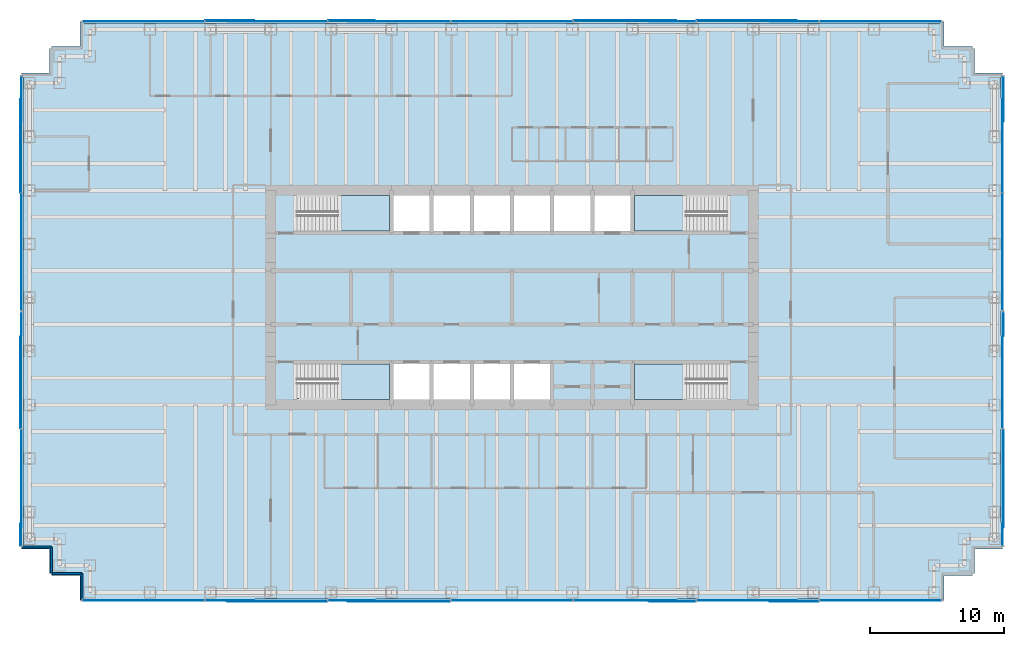
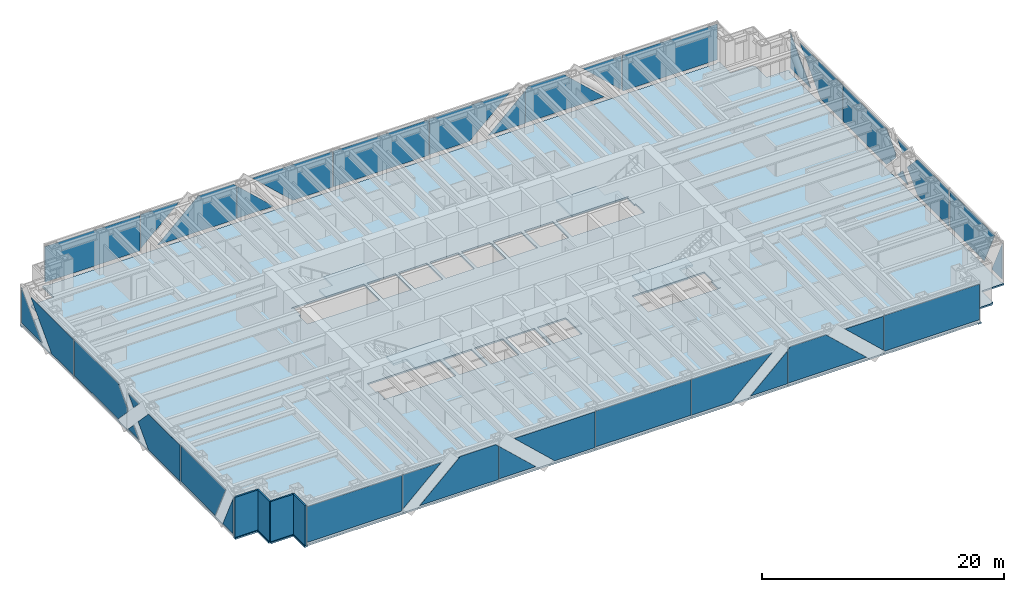
# One storey, part 9 of 14: 38 plates, 5 slabs, 4 walls, 8 elements without a shape of their own.
"""IFC4 building model written with IfcOpenShell, lengths in metres."""

from ifc_helpers import new_model, si_unit, direction, frame, frame_2d, origin, origin_2d, place, context, subcontext, project, spatial, polyline, rectangle, outline, extrude, material, layer, layer_set, type_object, element, aggregate, save


model = new_model("IFC4")

# Units and contexts
model_context = context("Model", 3, precision=1e-05, world=origin(), true_north=direction((0.0, 1.0)))
body_context = subcontext(model_context, "Body", "Model", "MODEL_VIEW")
ifc_project = project(units=[si_unit("LENGTHUNIT", "METRE"), si_unit("AREAUNIT", "SQUARE_METRE"), si_unit("VOLUMEUNIT", "CUBIC_METRE"), si_unit("PLANEANGLEUNIT", "RADIAN"), si_unit("MASSUNIT", "GRAM", prefix="KILO")], contexts=[model_context])

# Site, building, storey
site_placement = place(None, origin())
site = spatial("IfcSite", under=ifc_project, at=site_placement, CompositionType="ELEMENT")
building_placement = place(site_placement, origin())
building = spatial("IfcBuilding", under=site, at=building_placement, Name="Rheinbord Bourse Tower", CompositionType="ELEMENT")
storey_placement = place(building_placement, frame((0.0, 0.0, 253.0)))
storey = spatial("IfcBuildingStorey", under=building, at=storey_placement, Name="L57", CompositionType="ELEMENT", Elevation=253.0)

# Slab
ifc_material_1 = material(Name="Concrete C30/37", Category="concrete")
ifc_layer_1 = layer(ifc_material_1, 0.159912109375)
ifc_layer_set_1 = layer_set([ifc_layer_1], Name="COMPOSITE FLOOR SLAB 160")
slab_type_1 = type_object("IfcSlabType", Name="COMPOSITE FLOOR SLAB 160", PredefinedType="FLOOR", material=ifc_layer_set_1)
slab_1_placement = place(storey_placement, frame((0.0, 0.0, -0.159912109375)))
element("IfcSlab", 1, at=slab_1_placement, inside=storey, type_object=slab_type_1, Name="Floor slab L57", PredefinedType="FLOOR", context=body_context, shape_type="SweptSolid", body=[
    extrude(outline(polyline([(1.64990234375, 3.39990234375), (1.5, 3.39990234375), (1.5, 5.25), (-0.60009765625, 5.25), (-0.60009765625, 5.550048828125), (-0.5, 5.550048828125), (-0.5, 40.449951171875), (-0.60009765625, 40.449951171875), (-0.60009765625, 40.75), (1.5, 40.75), (1.5, 42.60009765625), (1.64990234375, 42.60009765625), (1.64990234375, 42.75), (3.75, 42.75), (3.75, 44.60009765625), (4.050048828125, 44.60009765625), (4.050048828125, 44.5), (67.949951171875, 44.5), (67.949951171875, 44.60009765625), (68.25, 44.60009765625), (68.25, 42.75), (70.35009765625, 42.75), (70.35009765625, 42.60009765625), (70.5, 42.60009765625), (70.5, 40.75), (72.60009765625, 40.75), (72.60009765625, 40.449951171875), (72.5, 40.449951171875), (72.5, 5.550048828125), (72.60009765625, 5.550048828125), (72.60009765625, 5.25), (70.5, 5.25), (70.5, 3.39990234375), (70.35009765625, 3.39990234375), (70.35009765625, 3.25), (68.25, 3.25), (68.25, 1.39990234375), (67.949951171875, 1.39990234375), (67.949951171875, 1.5), (4.050048828125, 1.5), (4.050048828125, 1.39990234375), (3.75, 1.39990234375), (3.75, 3.25), (1.64990234375, 3.25), (1.64990234375, 3.39990234375)]), holes=[polyline([(19.949951171875, 19.050048828125), (26.85009765625, 19.050048828125), (26.85009765625, 16.39990234375), (19.949951171875, 16.39990234375), (19.949951171875, 16.449951171875), (20.10009765625, 16.449951171875), (20.10009765625, 17.64990234375), (19.949951171875, 17.64990234375), (19.949951171875, 19.050048828125)]), polyline([(19.949951171875, 31.60009765625), (26.85009765625, 31.60009765625), (26.85009765625, 28.949951171875), (19.949951171875, 28.949951171875), (19.949951171875, 30.35009765625), (20.10009765625, 30.35009765625), (20.10009765625, 31.550048828125), (19.949951171875, 31.550048828125), (19.949951171875, 31.60009765625)]), polyline([(52.050048828125, 16.39990234375), (45.14990234375, 16.39990234375), (45.14990234375, 19.050048828125), (52.050048828125, 19.050048828125), (52.050048828125, 17.64990234375), (51.89990234375, 17.64990234375), (51.89990234375, 16.449951171875), (52.050048828125, 16.449951171875), (52.050048828125, 16.39990234375)]), polyline([(52.050048828125, 28.949951171875), (45.14990234375, 28.949951171875), (45.14990234375, 31.60009765625), (52.050048828125, 31.60009765625), (52.050048828125, 31.550048828125), (51.89990234375, 31.550048828125), (51.89990234375, 30.35009765625), (52.050048828125, 30.35009765625), (52.050048828125, 28.949951171875)]), polyline([(27.14990234375, 16.39990234375), (27.14990234375, 19.050048828125), (29.85009765625, 19.050048828125), (29.85009765625, 16.39990234375), (27.14990234375, 16.39990234375)]), polyline([(27.14990234375, 28.949951171875), (27.14990234375, 31.60009765625), (29.85009765625, 31.60009765625), (29.85009765625, 28.949951171875), (27.14990234375, 28.949951171875)]), polyline([(30.14990234375, 16.39990234375), (30.14990234375, 19.050048828125), (32.85009765625, 19.050048828125), (32.85009765625, 16.39990234375), (30.14990234375, 16.39990234375)]), polyline([(30.14990234375, 28.949951171875), (30.14990234375, 31.60009765625), (32.85009765625, 31.60009765625), (32.85009765625, 28.949951171875), (30.14990234375, 28.949951171875)]), polyline([(33.14990234375, 16.39990234375), (33.14990234375, 19.050048828125), (35.85009765625, 19.050048828125), (35.85009765625, 16.39990234375), (33.14990234375, 16.39990234375)]), polyline([(33.14990234375, 28.949951171875), (33.14990234375, 31.60009765625), (35.85009765625, 31.60009765625), (35.85009765625, 28.949951171875), (33.14990234375, 28.949951171875)]), polyline([(36.14990234375, 16.39990234375), (36.14990234375, 19.050048828125), (38.85009765625, 19.050048828125), (38.85009765625, 16.39990234375), (36.14990234375, 16.39990234375)]), polyline([(36.14990234375, 28.949951171875), (36.14990234375, 31.60009765625), (38.85009765625, 31.60009765625), (38.85009765625, 28.949951171875), (36.14990234375, 28.949951171875)]), polyline([(39.14990234375, 28.949951171875), (39.14990234375, 31.60009765625), (41.85009765625, 31.60009765625), (41.85009765625, 28.949951171875), (39.14990234375, 28.949951171875)]), polyline([(42.14990234375, 28.949951171875), (42.14990234375, 31.60009765625), (44.85009765625, 31.60009765625), (44.85009765625, 28.949951171875), (42.14990234375, 28.949951171875)])]), origin(), (0.0, 0.0, 1.0), 0.159912109375),
])

# Curtain wall, plates
ifc_material_2 = material(Name="Dark glass and black aluminium", Category="aluminium")
curtain_wall_type = type_object("IfcCurtainWallType", Name="CW2 DARK GLASS CURTAIN WALL", PredefinedType="USERDEFINED", material=ifc_material_2)
curtain_wall_1_placement = place(storey_placement, origin())
curtain_wall_1 = element("IfcCurtainWall", 2, at=curtain_wall_1_placement, inside=storey, type_object=curtain_wall_type, Name="Curtain wall CW2 S L57", ObjectType="UNITISED CURTAIN WALL", PredefinedType="USERDEFINED")
ifc_material_3 = material(Name="Dark tinted triple insulating glass", Category="glass")
ifc_layer_2 = layer(ifc_material_3, 0.050048828125)
ifc_layer_set_2 = layer_set([ifc_layer_2], Name="CW2 DARK GLASS PANEL")
plate_type = type_object("IfcPlateType", Name="CW2 DARK GLASS PANEL", PredefinedType="CURTAIN_PANEL", material=ifc_layer_set_2)
plate_1_placement = place(storey_placement, frame((36.0, 1.39990234375, 0.300048828125), z_axis=(0.0, 0.0, 1.0), x_axis=(1.0, 0.0, 0.0)))
plate_1 = element("IfcPlate", 3, at=plate_1_placement, type_object=plate_type, Name="CW2 panel 4.1", PredefinedType="CURTAIN_PANEL", context=body_context, shape_type="SweptSolid", body=[
    extrude(rectangle(XDim=9.101318359375, YDim=0.050048828125, at=origin_2d()), origin(), (0.0, 0.0, 1.0), 3.60009765625),
])
plate_2_placement = place(storey_placement, frame((3.969970703125, 1.375, 0.300048828125), z_axis=(0.0, 1.0, 0.0), x_axis=(0.0, 0.0, 1.0)))
plate_2 = element("IfcPlate", 4, at=plate_2_placement, type_object=plate_type, Name="CW2 glass facet 1", PredefinedType="CURTAIN_PANEL", context=body_context, shape_type="SweptSolid", body=[
    extrude(outline(polyline([(0.0, 0.0), (3.599853515625, 0.0), (3.599853515625, 9.06591796875), (0.094970703125, 9.06591796875), (0.0, 8.965087890625), (0.0, 0.0)])), origin(), (0.0, 0.0, 1.0), 0.050048828125),
])
plate_3_placement = place(storey_placement, frame((13.10595703125, 1.375, 3.89990234375), z_axis=(0.0, 1.0, 0.0), x_axis=(1.0, 0.0, 0.0)))
plate_3 = element("IfcPlate", 5, at=plate_3_placement, type_object=plate_type, Name="CW2 glass facet 1", PredefinedType="CURTAIN_PANEL", context=body_context, shape_type="SweptSolid", body=[
    extrude(outline(polyline([(0.0, 0.0), (3.68603515625, 0.0), (0.0, 3.43994140625), (0.0, 0.0)])), origin(), (0.0, 0.0, 1.0), 0.050048828125),
])
plate_4_placement = place(storey_placement, frame((22.2080078125, 1.31982421875, 0.300048828125), z_axis=(0.0, 1.0, 0.0), x_axis=(-1.0, 0.0, 0.0)))
plate_4 = element("IfcPlate", 6, at=plate_4_placement, type_object=plate_type, Name="CW2 glass facet 2", PredefinedType="CURTAIN_PANEL", context=body_context, shape_type="SweptSolid", body=[
    extrude(outline(polyline([(0.0, 0.0), (7.5, 0.0), (3.64306640625, 3.599853515625), (0.27294921875, 3.599853515625), (0.0, 3.344970703125), (0.0, 0.0)])), origin(), (0.0, 0.0, 1.0), 0.050048828125),
])
plate_5_placement = place(storey_placement, frame((22.278076171875, 1.375, 0.300048828125), z_axis=(0.0, 1.0, 0.0), x_axis=(0.0, 0.0, 1.0)))
plate_5 = element("IfcPlate", 7, at=plate_5_placement, type_object=plate_type, Name="CW2 glass facet 1", PredefinedType="CURTAIN_PANEL", context=body_context, shape_type="SweptSolid", body=[
    extrude(outline(polyline([(0.0, 0.0), (3.280029296875, 0.0), (0.0, 3.513916015625), (0.0, 0.0)])), origin(), (0.0, 0.0, 1.0), 0.050048828125),
])
plate_6_placement = place(storey_placement, frame((31.37890625, 1.31982421875, 3.89990234375), z_axis=(0.0, 1.0, 0.0), x_axis=(0.0, 0.0, -1.0)))
plate_6 = element("IfcPlate", 8, at=plate_6_placement, type_object=plate_type, Name="CW2 glass facet 2", PredefinedType="CURTAIN_PANEL", context=body_context, shape_type="SweptSolid", body=[
    extrude(outline(polyline([(0.0, 0.0), (3.599853515625, 0.0), (3.599853515625, 3.81396484375), (0.0, 7.6708984375), (0.0, 0.0)])), origin(), (0.0, 0.0, 1.0), 0.050048828125),
])
plate_7_placement = place(storey_placement, frame((40.62109375, 1.375, 0.300048828125), z_axis=(0.0, 1.0, 0.0), x_axis=(0.0, 0.0, 1.0)))
plate_7 = element("IfcPlate", 9, at=plate_7_placement, type_object=plate_type, Name="CW2 glass facet 1", PredefinedType="CURTAIN_PANEL", context=body_context, shape_type="SweptSolid", body=[
    extrude(outline(polyline([(0.0, 0.0), (3.599853515625, 0.0), (3.599853515625, 7.6708984375), (0.0, 3.81396484375), (0.0, 0.0)])), origin(), (0.0, 0.0, 1.0), 0.050048828125),
])
plate_8_placement = place(storey_placement, frame((49.721923828125, 1.31982421875, 0.300048828125), z_axis=(0.0, 1.0, 0.0), x_axis=(-1.0, 0.0, 0.0)))
plate_8 = element("IfcPlate", 10, at=plate_8_placement, type_object=plate_type, Name="CW2 glass facet 2", PredefinedType="CURTAIN_PANEL", context=body_context, shape_type="SweptSolid", body=[
    extrude(outline(polyline([(0.0, 0.0), (3.513916015625, 0.0), (0.0, 3.280029296875), (0.0, 0.0)])), origin(), (0.0, 0.0, 1.0), 0.050048828125),
])
plate_9_placement = place(storey_placement, frame((49.7919921875, 1.375, 0.300048828125), z_axis=(0.0, 1.0, 0.0), x_axis=(0.0, 0.0, 1.0)))
plate_9 = element("IfcPlate", 11, at=plate_9_placement, type_object=plate_type, Name="CW2 glass facet 1", PredefinedType="CURTAIN_PANEL", context=body_context, shape_type="SweptSolid", body=[
    extrude(outline(polyline([(0.0, 0.0), (3.344970703125, 0.0), (3.599853515625, 0.27294921875), (3.599853515625, 3.64306640625), (0.0, 7.5), (0.0, 0.0)])), origin(), (0.0, 0.0, 1.0), 0.050048828125),
])
plate_10_placement = place(storey_placement, frame((58.89404296875, 1.31982421875, 3.89990234375), z_axis=(0.0, 1.0, 0.0), x_axis=(0.0, 0.0, -1.0)))
plate_10 = element("IfcPlate", 12, at=plate_10_placement, type_object=plate_type, Name="CW2 glass facet 2", PredefinedType="CURTAIN_PANEL", context=body_context, shape_type="SweptSolid", body=[
    extrude(outline(polyline([(0.0, 0.0), (3.43994140625, 0.0), (0.0, 3.68603515625), (0.0, 0.0)])), origin(), (0.0, 0.0, 1.0), 0.050048828125),
])
plate_11_placement = place(storey_placement, frame((58.964111328125, 1.375, 3.89990234375), z_axis=(0.0, 1.0, 0.0), x_axis=(1.0, 0.0, 0.0)))
plate_11 = element("IfcPlate", 13, at=plate_11_placement, type_object=plate_type, Name="CW2 glass facet 1", PredefinedType="CURTAIN_PANEL", context=body_context, shape_type="SweptSolid", body=[
    extrude(outline(polyline([(0.0, 0.0), (9.06591796875, 0.0), (9.06591796875, 3.599853515625), (0.100830078125, 3.599853515625), (0.0, 3.5048828125), (0.0, 0.0)])), origin(), (0.0, 0.0, 1.0), 0.050048828125),
])
aggregate(curtain_wall_1, [plate_1, plate_2, plate_3, plate_4, plate_5, plate_6, plate_7, plate_8, plate_9, plate_10, plate_11])

curtain_wall_2_placement = place(storey_placement, origin())
curtain_wall_2 = element("IfcCurtainWall", 14, at=curtain_wall_2_placement, inside=storey, type_object=curtain_wall_type, Name="Curtain wall CW2 E L57", ObjectType="UNITISED CURTAIN WALL", PredefinedType="USERDEFINED")
plate_12_placement = place(storey_placement, frame((72.625, 5.469970703125, 0.300048828125), z_axis=(-1.0, 0.0, 0.0), x_axis=(0.0, 0.0, 1.0)))
plate_12 = element("IfcPlate", 15, at=plate_12_placement, type_object=plate_type, Name="CW2 glass facet 1", PredefinedType="CURTAIN_PANEL", context=body_context, shape_type="SweptSolid", body=[
    extrude(outline(polyline([(0.0, 0.0), (3.599853515625, 0.0), (3.599853515625, 0.0029296875), (0.0, 1.717041015625), (0.0, 0.0)])), origin(), (0.0, 0.0, 1.0), 0.050048828125),
])
plate_13_placement = place(storey_placement, frame((72.68017578125, 14.1650390625, 3.89990234375), z_axis=(-1.0, 0.0, 0.0), x_axis=(0.0, 0.0, -1.0)))
plate_13 = element("IfcPlate", 16, at=plate_13_placement, type_object=plate_type, Name="CW2 glass facet 2", PredefinedType="CURTAIN_PANEL", context=body_context, shape_type="SweptSolid", body=[
    extrude(outline(polyline([(0.0, 0.0), (3.599853515625, 0.0), (3.599853515625, 5.637939453125), (0.0, 7.35205078125), (0.0, 0.0)])), origin(), (0.0, 0.0, 1.0), 0.050048828125),
])
plate_14_placement = place(storey_placement, frame((72.625, 14.235107421875, 0.300048828125), z_axis=(-1.0, 0.0, 0.0), x_axis=(0.0, 0.0, 1.0)))
plate_14 = element("IfcPlate", 17, at=plate_14_placement, type_object=plate_type, Name="CW2 glass facet 1", PredefinedType="CURTAIN_PANEL", context=body_context, shape_type="SweptSolid", body=[
    extrude(outline(polyline([(0.0, 0.0), (3.599853515625, 0.0), (3.599853515625, 5.21484375), (1.800048828125, 6.929931640625), (0.0, 5.21484375), (0.0, 0.0)])), origin(), (0.0, 0.0, 1.0), 0.050048828125),
])
plate_15_placement = place(storey_placement, frame((72.68017578125, 21.12109375, 0.300048828125), z_axis=(-1.0, 0.0, 0.0), x_axis=(0.0, 0.689655172414, 0.724137931034)))
plate_15 = element("IfcPlate", 18, at=plate_15_placement, type_object=plate_type, Name="CW2 glass facet 2", PredefinedType="CURTAIN_PANEL", context=body_context, shape_type="SweptSolid", body=[
    extrude(outline(polyline([(0.0, 0.0), (1.2744140625, 0.0), (1.21240234375, 1.27294921875), (0.0, 0.0)])), origin(), (0.0, 0.0, 1.0), 0.050048828125),
])
plate_16_placement = place(storey_placement, frame((72.68017578125, 22.87890625, 3.89990234375), z_axis=(-1.0, 0.0, 0.0), x_axis=(0.0, -0.689655172414, -0.724137931034)))
plate_16 = element("IfcPlate", 19, at=plate_16_placement, type_object=plate_type, Name="CW2 glass facet 3", PredefinedType="CURTAIN_PANEL", context=body_context, shape_type="SweptSolid", body=[
    extrude(outline(polyline([(0.0, 0.0), (1.2744140625, 0.0), (1.21240234375, 1.27294921875), (0.0, 0.0)])), origin(), (0.0, 0.0, 1.0), 0.050048828125),
])
plate_17_placement = place(storey_placement, frame((72.625, 31.764892578125, 3.89990234375), z_axis=(-1.0, 0.0, 0.0), x_axis=(0.0, 0.0, -1.0)))
plate_17 = element("IfcPlate", 20, at=plate_17_placement, type_object=plate_type, Name="CW2 glass facet 1", PredefinedType="CURTAIN_PANEL", context=body_context, shape_type="SweptSolid", body=[
    extrude(outline(polyline([(0.0, 0.0), (3.599853515625, 0.0), (3.599853515625, 7.21484375), (2.0087890625, 8.72998046875), (1.5908203125, 8.72998046875), (0.0, 7.21484375), (0.0, 0.0)])), origin(), (0.0, 0.0, 1.0), 0.050048828125),
])
plate_18_placement = place(storey_placement, frame((72.625, 31.8349609375, 0.300048828125), z_axis=(-1.0, 0.0, 0.0), x_axis=(0.0, 0.0, 1.0)))
plate_18 = element("IfcPlate", 21, at=plate_18_placement, type_object=plate_type, Name="CW2 glass facet 1", PredefinedType="CURTAIN_PANEL", context=body_context, shape_type="SweptSolid", body=[
    extrude(outline(polyline([(0.0, 0.0), (3.599853515625, 0.0), (3.599853515625, 7.0439453125), (0.0, 3.614990234375), (0.0, 0.0)])), origin(), (0.0, 0.0, 1.0), 0.050048828125),
])
plate_19_placement = place(storey_placement, frame((72.68017578125, 40.530029296875, 0.300048828125), z_axis=(-1.0, 0.0, 0.0), x_axis=(0.0, -1.0, 0.0)))
plate_19 = element("IfcPlate", 22, at=plate_19_placement, type_object=plate_type, Name="CW2 glass facet 2", PredefinedType="CURTAIN_PANEL", context=body_context, shape_type="SweptSolid", body=[
    extrude(outline(polyline([(0.0, 0.0), (3.408935546875, 0.0), (0.0, 3.578857421875), (0.0, 0.0)])), origin(), (0.0, 0.0, 1.0), 0.050048828125),
])
aggregate(curtain_wall_2, [plate_12, plate_13, plate_14, plate_15, plate_16, plate_17, plate_18, plate_19])

curtain_wall_3_placement = place(storey_placement, origin())
curtain_wall_3 = element("IfcCurtainWall", 23, at=curtain_wall_3_placement, inside=storey, type_object=curtain_wall_type, Name="Curtain wall CW2 N L57", ObjectType="UNITISED CURTAIN WALL", PredefinedType="USERDEFINED")
plate_20_placement = place(storey_placement, frame((36.0, 44.60009765625, 0.300048828125), z_axis=(0.0, 0.0, 1.0), x_axis=(-1.0, 0.0, 0.0)))
plate_20 = element("IfcPlate", 24, at=plate_20_placement, type_object=plate_type, Name="CW2 panel 4.1", PredefinedType="CURTAIN_PANEL", context=body_context, shape_type="SweptSolid", body=[
    extrude(rectangle(XDim=9.101318359375, YDim=0.050048828125, at=origin_2d()), origin(), (0.0, 0.0, 1.0), 3.60009765625),
])
plate_21_placement = place(storey_placement, frame((68.030029296875, 44.625, 0.300048828125), z_axis=(0.0, -1.0, 0.0), x_axis=(0.0, 0.0, 1.0)))
plate_21 = element("IfcPlate", 25, at=plate_21_placement, type_object=plate_type, Name="CW2 glass facet 1", PredefinedType="CURTAIN_PANEL", context=body_context, shape_type="SweptSolid", body=[
    extrude(outline(polyline([(0.0, 0.0), (3.599853515625, 0.0), (3.599853515625, 9.06591796875), (0.094970703125, 9.06591796875), (0.0, 8.965087890625), (0.0, 0.0)])), origin(), (0.0, 0.0, 1.0), 0.050048828125),
])
plate_22_placement = place(storey_placement, frame((58.89404296875, 44.625, 3.89990234375), z_axis=(0.0, -1.0, 0.0), x_axis=(-1.0, 0.0, 0.0)))
plate_22 = element("IfcPlate", 26, at=plate_22_placement, type_object=plate_type, Name="CW2 glass facet 1", PredefinedType="CURTAIN_PANEL", context=body_context, shape_type="SweptSolid", body=[
    extrude(outline(polyline([(0.0, 0.0), (3.68603515625, 0.0), (0.0, 3.43994140625), (0.0, 0.0)])), origin(), (0.0, 0.0, 1.0), 0.050048828125),
])
plate_23_placement = place(storey_placement, frame((49.7919921875, 44.68017578125, 0.300048828125), z_axis=(0.0, -1.0, 0.0), x_axis=(1.0, 0.0, 0.0)))
plate_23 = element("IfcPlate", 27, at=plate_23_placement, type_object=plate_type, Name="CW2 glass facet 2", PredefinedType="CURTAIN_PANEL", context=body_context, shape_type="SweptSolid", body=[
    extrude(outline(polyline([(0.0, 0.0), (7.5, 0.0), (3.64306640625, 3.599853515625), (0.27294921875, 3.599853515625), (0.0, 3.344970703125), (0.0, 0.0)])), origin(), (0.0, 0.0, 1.0), 0.050048828125),
])
plate_24_placement = place(storey_placement, frame((49.721923828125, 44.625, 0.300048828125), z_axis=(0.0, -1.0, 0.0), x_axis=(0.0, 0.0, 1.0)))
plate_24 = element("IfcPlate", 28, at=plate_24_placement, type_object=plate_type, Name="CW2 glass facet 1", PredefinedType="CURTAIN_PANEL", context=body_context, shape_type="SweptSolid", body=[
    extrude(outline(polyline([(0.0, 0.0), (3.280029296875, 0.0), (0.0, 3.513916015625), (0.0, 0.0)])), origin(), (0.0, 0.0, 1.0), 0.050048828125),
])
plate_25_placement = place(storey_placement, frame((40.62109375, 44.68017578125, 3.89990234375), z_axis=(0.0, -1.0, 0.0), x_axis=(0.0, 0.0, -1.0)))
plate_25 = element("IfcPlate", 29, at=plate_25_placement, type_object=plate_type, Name="CW2 glass facet 2", PredefinedType="CURTAIN_PANEL", context=body_context, shape_type="SweptSolid", body=[
    extrude(outline(polyline([(0.0, 0.0), (3.599853515625, 0.0), (3.599853515625, 3.81396484375), (0.0, 7.6708984375), (0.0, 0.0)])), origin(), (0.0, 0.0, 1.0), 0.050048828125),
])
plate_26_placement = place(storey_placement, frame((31.37890625, 44.625, 0.300048828125), z_axis=(0.0, -1.0, 0.0), x_axis=(0.0, 0.0, 1.0)))
plate_26 = element("IfcPlate", 30, at=plate_26_placement, type_object=plate_type, Name="CW2 glass facet 1", PredefinedType="CURTAIN_PANEL", context=body_context, shape_type="SweptSolid", body=[
    extrude(outline(polyline([(0.0, 0.0), (3.599853515625, 0.0), (3.599853515625, 7.6708984375), (0.0, 3.81396484375), (0.0, 0.0)])), origin(), (0.0, 0.0, 1.0), 0.050048828125),
])
plate_27_placement = place(storey_placement, frame((22.278076171875, 44.68017578125, 0.300048828125), z_axis=(0.0, -1.0, 0.0), x_axis=(1.0, 0.0, 0.0)))
plate_27 = element("IfcPlate", 31, at=plate_27_placement, type_object=plate_type, Name="CW2 glass facet 2", PredefinedType="CURTAIN_PANEL", context=body_context, shape_type="SweptSolid", body=[
    extrude(outline(polyline([(0.0, 0.0), (3.513916015625, 0.0), (0.0, 3.280029296875), (0.0, 0.0)])), origin(), (0.0, 0.0, 1.0), 0.050048828125),
])
plate_28_placement = place(storey_placement, frame((22.2080078125, 44.625, 0.300048828125), z_axis=(0.0, -1.0, 0.0), x_axis=(0.0, 0.0, 1.0)))
plate_28 = element("IfcPlate", 32, at=plate_28_placement, type_object=plate_type, Name="CW2 glass facet 1", PredefinedType="CURTAIN_PANEL", context=body_context, shape_type="SweptSolid", body=[
    extrude(outline(polyline([(0.0, 0.0), (3.344970703125, 0.0), (3.599853515625, 0.27294921875), (3.599853515625, 3.64306640625), (0.0, 7.5), (0.0, 0.0)])), origin(), (0.0, 0.0, 1.0), 0.050048828125),
])
plate_29_placement = place(storey_placement, frame((13.10595703125, 44.68017578125, 3.89990234375), z_axis=(0.0, -1.0, 0.0), x_axis=(0.0, 0.0, -1.0)))
plate_29 = element("IfcPlate", 33, at=plate_29_placement, type_object=plate_type, Name="CW2 glass facet 2", PredefinedType="CURTAIN_PANEL", context=body_context, shape_type="SweptSolid", body=[
    extrude(outline(polyline([(0.0, 0.0), (3.43994140625, 0.0), (0.0, 3.68603515625), (0.0, 0.0)])), origin(), (0.0, 0.0, 1.0), 0.050048828125),
])
plate_30_placement = place(storey_placement, frame((13.035888671875, 44.625, 3.89990234375), z_axis=(0.0, -1.0, 0.0), x_axis=(-1.0, 0.0, 0.0)))
plate_30 = element("IfcPlate", 34, at=plate_30_placement, type_object=plate_type, Name="CW2 glass facet 1", PredefinedType="CURTAIN_PANEL", context=body_context, shape_type="SweptSolid", body=[
    extrude(outline(polyline([(0.0, 0.0), (9.06591796875, 0.0), (9.06591796875, 3.599853515625), (0.100830078125, 3.599853515625), (0.0, 3.5048828125), (0.0, 0.0)])), origin(), (0.0, 0.0, 1.0), 0.050048828125),
])
aggregate(curtain_wall_3, [plate_20, plate_21, plate_22, plate_23, plate_24, plate_25, plate_26, plate_27, plate_28, plate_29, plate_30])

curtain_wall_4_placement = place(storey_placement, origin())
curtain_wall_4 = element("IfcCurtainWall", 35, at=curtain_wall_4_placement, inside=storey, type_object=curtain_wall_type, Name="Curtain wall CW2 W L57", ObjectType="UNITISED CURTAIN WALL", PredefinedType="USERDEFINED")
plate_31_placement = place(storey_placement, frame((-0.625, 40.530029296875, 0.300048828125), z_axis=(1.0, 0.0, 0.0), x_axis=(0.0, 0.0, 1.0)))
plate_31 = element("IfcPlate", 36, at=plate_31_placement, type_object=plate_type, Name="CW2 glass facet 1", PredefinedType="CURTAIN_PANEL", context=body_context, shape_type="SweptSolid", body=[
    extrude(outline(polyline([(0.0, 0.0), (3.578857421875, 0.0), (0.0, 3.408935546875), (0.0, 0.0)])), origin(), (0.0, 0.0, 1.0), 0.050048828125),
])
plate_32_placement = place(storey_placement, frame((-0.68017578125, 31.8349609375, 3.89990234375), z_axis=(1.0, 0.0, 0.0), x_axis=(0.0, 0.0, -1.0)))
plate_32 = element("IfcPlate", 37, at=plate_32_placement, type_object=plate_type, Name="CW2 glass facet 2", PredefinedType="CURTAIN_PANEL", context=body_context, shape_type="SweptSolid", body=[
    extrude(outline(polyline([(0.0, 0.0), (3.599853515625, 0.0), (3.599853515625, 3.614990234375), (0.0, 7.0439453125), (0.0, 0.0)])), origin(), (0.0, 0.0, 1.0), 0.050048828125),
])
plate_33_placement = place(storey_placement, frame((-0.625, 31.764892578125, 0.300048828125), z_axis=(1.0, 0.0, 0.0), x_axis=(0.0, 0.0, 1.0)))
plate_33 = element("IfcPlate", 38, at=plate_33_placement, type_object=plate_type, Name="CW2 glass facet 1", PredefinedType="CURTAIN_PANEL", context=body_context, shape_type="SweptSolid", body=[
    extrude(outline(polyline([(0.0, 0.0), (3.599853515625, 0.0), (3.599853515625, 7.21484375), (2.009033203125, 8.72998046875), (1.591064453125, 8.72998046875), (0.0, 7.21484375), (0.0, 0.0)])), origin(), (0.0, 0.0, 1.0), 0.050048828125),
])
plate_34_placement = place(storey_placement, frame((-0.625, 22.87890625, 0.300048828125), z_axis=(1.0, 0.0, 0.0), x_axis=(0.0, -0.689655172414, 0.724137931034)))
plate_34 = element("IfcPlate", 39, at=plate_34_placement, type_object=plate_type, Name="CW2 glass facet 1", PredefinedType="CURTAIN_PANEL", context=body_context, shape_type="SweptSolid", body=[
    extrude(outline(polyline([(0.0, 0.0), (1.2744140625, 0.0), (1.21240234375, 1.27294921875), (0.0, 0.0)])), origin(), (0.0, 0.0, 1.0), 0.050048828125),
])
plate_35_placement = place(storey_placement, frame((-0.625, 21.12109375, 3.89990234375), z_axis=(1.0, 0.0, 0.0), x_axis=(0.0, 0.689655172414, -0.724137931034)))
plate_35 = element("IfcPlate", 40, at=plate_35_placement, type_object=plate_type, Name="CW2 glass facet 2", PredefinedType="CURTAIN_PANEL", context=body_context, shape_type="SweptSolid", body=[
    extrude(outline(polyline([(0.0, 0.0), (1.2744140625, 0.0), (1.21240234375, 1.27294921875), (0.0, 0.0)])), origin(), (0.0, 0.0, 1.0), 0.050048828125),
])
plate_36_placement = place(storey_placement, frame((-0.68017578125, 14.235107421875, 3.89990234375), z_axis=(1.0, 0.0, 0.0), x_axis=(0.0, 0.0, -1.0)))
plate_36 = element("IfcPlate", 41, at=plate_36_placement, type_object=plate_type, Name="CW2 glass facet 3", PredefinedType="CURTAIN_PANEL", context=body_context, shape_type="SweptSolid", body=[
    extrude(outline(polyline([(0.0, 0.0), (3.599853515625, 0.0), (3.599853515625, 5.21484375), (1.7998046875, 6.929931640625), (0.0, 5.21484375), (0.0, 0.0)])), origin(), (0.0, 0.0, 1.0), 0.050048828125),
])
plate_37_placement = place(storey_placement, frame((-0.625, 14.1650390625, 0.300048828125), z_axis=(1.0, 0.0, 0.0), x_axis=(0.0, 0.0, 1.0)))
plate_37 = element("IfcPlate", 42, at=plate_37_placement, type_object=plate_type, Name="CW2 glass facet 1", PredefinedType="CURTAIN_PANEL", context=body_context, shape_type="SweptSolid", body=[
    extrude(outline(polyline([(0.0, 0.0), (3.599853515625, 0.0), (3.599853515625, 7.35205078125), (0.0, 5.637939453125), (0.0, 0.0)])), origin(), (0.0, 0.0, 1.0), 0.050048828125),
])
plate_38_placement = place(storey_placement, frame((-0.68017578125, 5.469970703125, 3.89990234375), z_axis=(1.0, 0.0, 0.0), x_axis=(0.0, 0.0, -1.0)))
plate_38 = element("IfcPlate", 43, at=plate_38_placement, type_object=plate_type, Name="CW2 glass facet 2", PredefinedType="CURTAIN_PANEL", context=body_context, shape_type="SweptSolid", body=[
    extrude(outline(polyline([(0.0, 0.0), (3.599853515625, 0.0), (3.599853515625, 1.717041015625), (0.0, 0.0029296875), (0.0, 0.0)])), origin(), (0.0, 0.0, 1.0), 0.050048828125),
])
aggregate(curtain_wall_4, [plate_31, plate_32, plate_33, plate_34, plate_35, plate_36, plate_37, plate_38])

# Stair, slab
ifc_material_4 = material(Name="Concrete C30/37", Category="concrete")
stair_type = type_object("IfcStairType", Name="CORE STAIR HALF TURN 4200", PredefinedType="HALF_TURN_STAIR", material=ifc_material_4)
stair_1_placement = place(storey_placement, origin())
stair_1 = element("IfcStair", 44, at=stair_1_placement, inside=storey, type_object=stair_type, Name="Stair ST1 L57, type CS6", PredefinedType="HALF_TURN_STAIR")
ifc_material_5 = material(Name="Concrete C30/37", Category="concrete")
ifc_layer_3 = layer(ifc_material_5, 0.199951171875)
ifc_layer_set_3 = layer_set([ifc_layer_3], Name="STAIR LANDING 200")
slab_type_2 = type_object("IfcSlabType", Name="STAIR LANDING 200", PredefinedType="LANDING", material=ifc_layer_set_3)
slab_2_placement = place(storey_placement, frame((0.0, 0.0, 1.89990234375)))
slab_2 = element("IfcSlab", 45, at=slab_2_placement, type_object=slab_type_2, Name="Half landing ST1 L57", PredefinedType="LANDING", context=body_context, shape_type="SweptSolid", body=[
    extrude(outline(polyline([(23.030029296875, 16.39990234375), (26.85009765625, 16.39990234375), (26.85009765625, 19.050048828125), (21.748046875, 19.050048828125), (21.748046875, 17.85009765625), (23.030029296875, 17.85009765625), (23.030029296875, 16.39990234375)])), origin(), (0.0, 0.0, 1.0), 0.2001953125),
])
aggregate(stair_1, [slab_2])

stair_2_placement = place(storey_placement, origin())
stair_2 = element("IfcStair", 46, at=stair_2_placement, inside=storey, type_object=stair_type, Name="Stair ST2 L57, type CS6", PredefinedType="HALF_TURN_STAIR")
slab_3_placement = place(storey_placement, frame((0.0, 0.0, 1.89990234375)))
slab_3 = element("IfcSlab", 47, at=slab_3_placement, type_object=slab_type_2, Name="Half landing ST2 L57", PredefinedType="LANDING", context=body_context, shape_type="SweptSolid", body=[
    extrude(outline(polyline([(21.748046875, 28.949951171875), (26.85009765625, 28.949951171875), (26.85009765625, 31.60009765625), (23.030029296875, 31.60009765625), (23.030029296875, 30.14990234375), (21.748046875, 30.14990234375), (21.748046875, 28.949951171875)])), origin(), (0.0, 0.0, 1.0), 0.2001953125),
])
aggregate(stair_2, [slab_3])

stair_3_placement = place(storey_placement, origin())
stair_3 = element("IfcStair", 48, at=stair_3_placement, inside=storey, type_object=stair_type, Name="Stair ST3 L57, type CS6", PredefinedType="HALF_TURN_STAIR")
slab_4_placement = place(storey_placement, frame((0.0, 0.0, 1.89990234375)))
slab_4 = element("IfcSlab", 49, at=slab_4_placement, type_object=slab_type_2, Name="Half landing ST3 L57", PredefinedType="LANDING", context=body_context, shape_type="SweptSolid", body=[
    extrude(outline(polyline([(45.14990234375, 16.39990234375), (48.969970703125, 16.39990234375), (48.969970703125, 17.85009765625), (50.251953125, 17.85009765625), (50.251953125, 19.050048828125), (45.14990234375, 19.050048828125), (45.14990234375, 16.39990234375)])), origin(), (0.0, 0.0, 1.0), 0.2001953125),
])
aggregate(stair_3, [slab_4])

stair_4_placement = place(storey_placement, origin())
stair_4 = element("IfcStair", 50, at=stair_4_placement, inside=storey, type_object=stair_type, Name="Stair ST4 L57, type CS6", PredefinedType="HALF_TURN_STAIR")
slab_5_placement = place(storey_placement, frame((0.0, 0.0, 1.89990234375)))
slab_5 = element("IfcSlab", 51, at=slab_5_placement, type_object=slab_type_2, Name="Half landing ST4 L57", PredefinedType="LANDING", context=body_context, shape_type="SweptSolid", body=[
    extrude(outline(polyline([(45.14990234375, 28.949951171875), (50.251953125, 28.949951171875), (50.251953125, 30.14990234375), (48.969970703125, 30.14990234375), (48.969970703125, 31.60009765625), (45.14990234375, 31.60009765625), (45.14990234375, 28.949951171875)])), origin(), (0.0, 0.0, 1.0), 0.2001953125),
])
aggregate(stair_4, [slab_5])

# Walls
ifc_material_6 = material(Name="Black metal rainscreen panel", Category="aluminium")
ifc_layer_4 = layer(ifc_material_6, 0.14990234375)
ifc_layer_set_4 = layer_set([ifc_layer_4], Name="CORNER PIER CLADDING 150")
wall_type = type_object("IfcWallType", Name="CORNER PIER CLADDING 150", PredefinedType="ELEMENTEDWALL", material=ifc_layer_set_4)
wall_1_placement = place(storey_placement, frame((-0.60009765625, 5.39990234375, 0.0), z_axis=(0.0, 0.0, 1.0), x_axis=(1.0, 0.0, 0.0)))
element("IfcWall", 52, at=wall_1_placement, inside=storey, type_object=wall_type, Name="Corner pier cladding L57 17", PredefinedType="ELEMENTEDWALL", context=body_context, shape_type="SweptSolid", body=[
    extrude(rectangle(XDim=2.25, YDim=0.14990234375, at=frame_2d((1.125, 0.0))), origin(), (0.0, 0.0, 1.0), 4.0400390625),
])
wall_2_placement = place(storey_placement, frame((1.64990234375, 5.39990234375, 0.0), z_axis=(0.0, 0.0, 1.0), x_axis=(0.0, -1.0, 0.0)))
element("IfcWall", 53, at=wall_2_placement, inside=storey, type_object=wall_type, Name="Corner pier cladding L57 18", PredefinedType="ELEMENTEDWALL", context=body_context, shape_type="SweptSolid", body=[
    extrude(rectangle(XDim=2.0, YDim=0.14990234375, at=frame_2d((1.0, 0.0))), origin(), (0.0, 0.0, 1.0), 4.0400390625),
])
wall_3_placement = place(storey_placement, frame((1.64990234375, 3.39990234375, 0.0), z_axis=(0.0, 0.0, 1.0), x_axis=(1.0, 0.0, 0.0)))
element("IfcWall", 54, at=wall_3_placement, inside=storey, type_object=wall_type, Name="Corner pier cladding L57 19", PredefinedType="ELEMENTEDWALL", context=body_context, shape_type="SweptSolid", body=[
    extrude(rectangle(XDim=2.25, YDim=0.14990234375, at=frame_2d((1.125, 0.0))), origin(), (0.0, 0.0, 1.0), 4.0400390625),
])
wall_4_placement = place(storey_placement, frame((3.89990234375, 3.39990234375, 0.0), z_axis=(0.0, 0.0, 1.0), x_axis=(0.0, -1.0, 0.0)))
element("IfcWall", 55, at=wall_4_placement, inside=storey, type_object=wall_type, Name="Corner pier cladding L57 20", PredefinedType="ELEMENTEDWALL", context=body_context, shape_type="SweptSolid", body=[
    extrude(rectangle(XDim=2.0, YDim=0.14990234375, at=frame_2d((1.0, 0.0))), origin(), (0.0, 0.0, 1.0), 4.0400390625),
])

save(model, "model.ifc")
